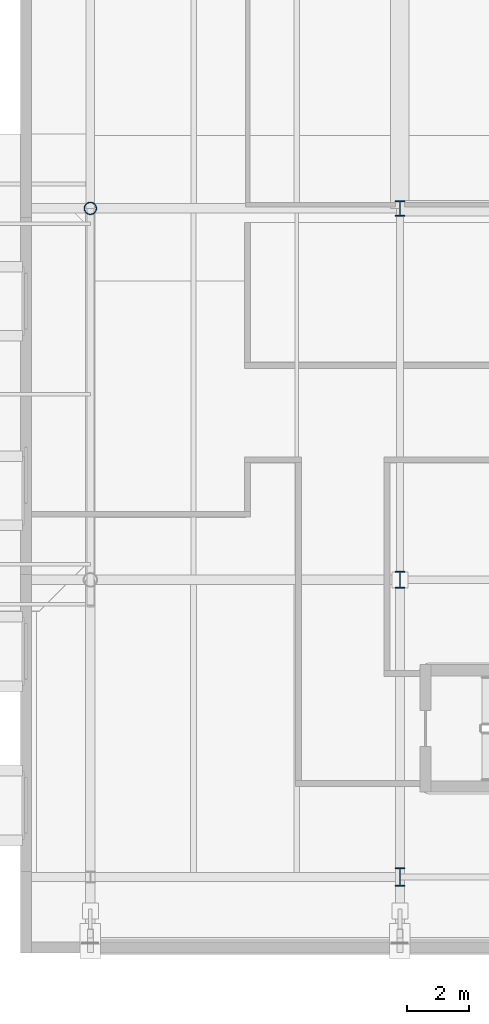
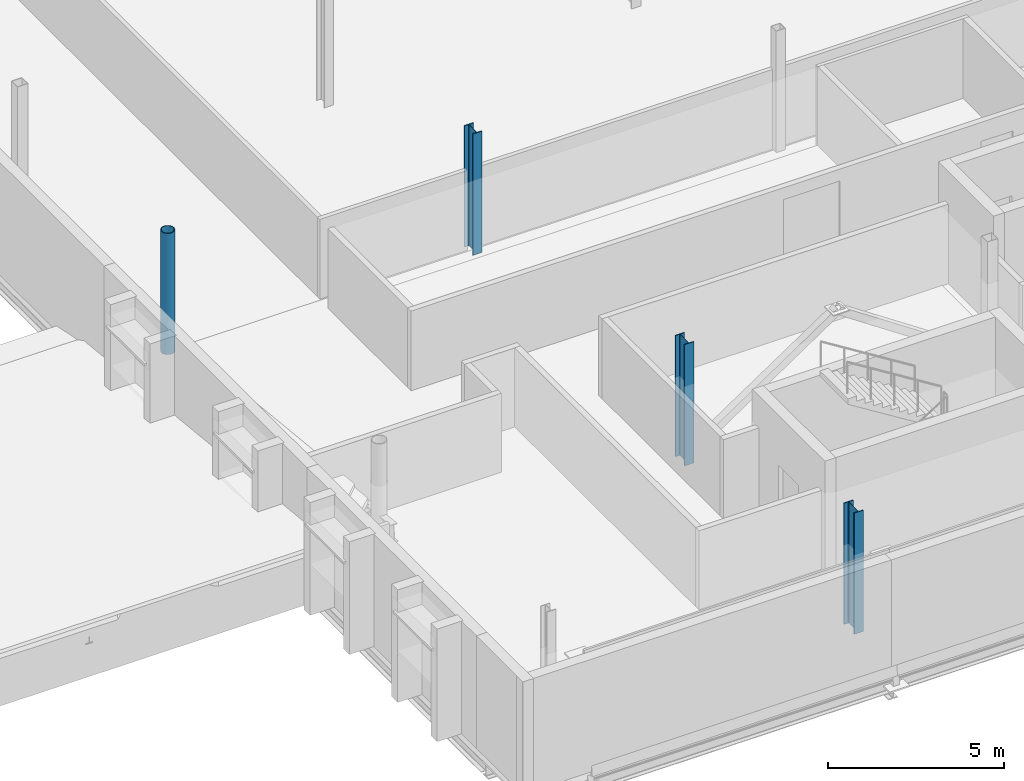
# One storey, part 10 of 90: 4 columns.
"""IFC4 building model written with IfcOpenShell, lengths in metres."""

from ifc_helpers import new_model, si_unit, direction, frame, origin, origin_2d, place, context, subcontext, project, spatial, hollow_circle, i_section, extrude, material, material_profile, profile_set, type_object, element, save


model = new_model("IFC4")

# Units and contexts
model_context = context("Model", 3, precision=1e-05, world=origin(), true_north=direction((0.0, 1.0)))
body_context = subcontext(model_context, "Body", "Model", "MODEL_VIEW")
ifc_project = project(units=[si_unit("LENGTHUNIT", "METRE"), si_unit("AREAUNIT", "SQUARE_METRE"), si_unit("VOLUMEUNIT", "CUBIC_METRE"), si_unit("PLANEANGLEUNIT", "RADIAN"), si_unit("MASSUNIT", "GRAM", prefix="KILO")], contexts=[model_context])

# Site, building, storey
site_placement = place(None, origin())
site = spatial("IfcSite", under=ifc_project, at=site_placement, CompositionType="ELEMENT")
building_placement = place(site_placement, origin())
building = spatial("IfcBuilding", under=site, at=building_placement, Name="Zereglee Splitstone Museum", CompositionType="ELEMENT")
storey_placement = place(building_placement, frame((0.0, 0.0, 4.800048828125)))
storey = spatial("IfcBuildingStorey", under=building, at=storey_placement, Name="L01", CompositionType="ELEMENT", Elevation=4.800048828125)

# Columns
ifc_material_1 = material(Name="Steel S355J2H", Category="steel")
ifc_material_profile_1 = material_profile(ifc_material_1, hollow_circle(Radius=0.203125, WallThickness=0.02001953125, at=origin_2d()), Name="CHS 406.4x20")
ifc_profile_set_1 = profile_set([ifc_material_profile_1], Name="Steel S355J2H")
column_type_1 = type_object("IfcColumnType", Name="C-18", PredefinedType="COLUMN", material=ifc_profile_set_1)
column_1_placement = place(storey_placement, frame((175.199951171875, 21.60009765625, 0.0), z_axis=(0.0, 0.0, 1.0), x_axis=(1.0, 0.0, 0.0)))
element("IfcColumn", 1, at=column_1_placement, inside=storey, type_object=column_type_1, Name="Column 20/C L01", PredefinedType="COLUMN", context=body_context, shape_type="SweptSolid", body=[
    extrude(hollow_circle(Radius=0.203125, WallThickness=0.02001953125, at=origin_2d()), origin(), (0.0, 0.0, 1.0), 4.199951171875),
])
ifc_material_2 = material(Name="Steel S355J2", Category="steel")
ifc_material_profile_2 = material_profile(ifc_material_2, i_section(OverallWidth=0.300048828125, OverallDepth=0.5, WebThickness=0.014404296875, FlangeThickness=0.028076171875, FilletRadius=0.027099609375, at=origin_2d()), Name="HE 500 B")
ifc_profile_set_2 = profile_set([ifc_material_profile_2], Name="Steel S355J2")
column_type_2 = type_object("IfcColumnType", Name="C-13", PredefinedType="COLUMN", material=ifc_profile_set_2)
column_2_placement = place(storey_placement, frame((185.199951171875, 21.60009765625, 0.0), z_axis=(0.0, 0.0, 1.0), x_axis=(1.0, 0.0, 0.0)))
element("IfcColumn", 2, at=column_2_placement, inside=storey, type_object=column_type_2, Name="Column 21/C L01", PredefinedType="COLUMN", context=body_context, shape_type="SweptSolid", body=[
    extrude(i_section(OverallWidth=0.300048828125, OverallDepth=0.5, WebThickness=0.014404296875, FlangeThickness=0.028076171875, FilletRadius=0.027099609375, at=origin_2d()), origin(), (0.0, 0.0, 1.0), 4.199951171875),
])
ifc_material_profile_3 = material_profile(ifc_material_2, i_section(OverallWidth=0.300048828125, OverallDepth=0.550048828125, WebThickness=0.014892578125, FlangeThickness=0.029052734375, FilletRadius=0.027099609375, at=origin_2d()), Name="HE 550 B")
ifc_profile_set_3 = profile_set([ifc_material_profile_3], Name="Steel S355J2")
column_type_3 = type_object("IfcColumnType", Name="C-12", PredefinedType="COLUMN", material=ifc_profile_set_3)
column_3_placement = place(storey_placement, frame((185.199951171875, 9.60009765625, 0.0), z_axis=(0.0, 0.0, 1.0), x_axis=(1.0, 0.0, 0.0)))
element("IfcColumn", 3, at=column_3_placement, inside=storey, type_object=column_type_3, Name="Column 21/B L01", PredefinedType="COLUMN", context=body_context, shape_type="SweptSolid", body=[
    extrude(i_section(OverallWidth=0.300048828125, OverallDepth=0.550048828125, WebThickness=0.014892578125, FlangeThickness=0.029052734375, FilletRadius=0.027099609375, at=origin_2d()), origin(), (0.0, 0.0, 1.0), 4.199951171875),
])
ifc_material_profile_4 = material_profile(ifc_material_2, i_section(OverallWidth=0.300048828125, OverallDepth=0.60009765625, WebThickness=0.015380859375, FlangeThickness=0.030029296875, FilletRadius=0.027099609375, at=origin_2d()), Name="HE 600 B")
ifc_profile_set_4 = profile_set([ifc_material_profile_4], Name="Steel S355J2")
column_type_4 = type_object("IfcColumnType", Name="C-11", PredefinedType="COLUMN", material=ifc_profile_set_4)
column_4_placement = place(storey_placement, frame((185.199951171875, 0.0, 0.0), z_axis=(0.0, 0.0, 1.0), x_axis=(1.0, 0.0, 0.0)))
element("IfcColumn", 4, at=column_4_placement, inside=storey, type_object=column_type_4, Name="Column 21/A L01", PredefinedType="COLUMN", context=body_context, shape_type="SweptSolid", body=[
    extrude(i_section(OverallWidth=0.300048828125, OverallDepth=0.60009765625, WebThickness=0.015380859375, FlangeThickness=0.030029296875, FilletRadius=0.027099609375, at=origin_2d()), origin(), (0.0, 0.0, 1.0), 4.199951171875),
])

save(model, "model.ifc")
